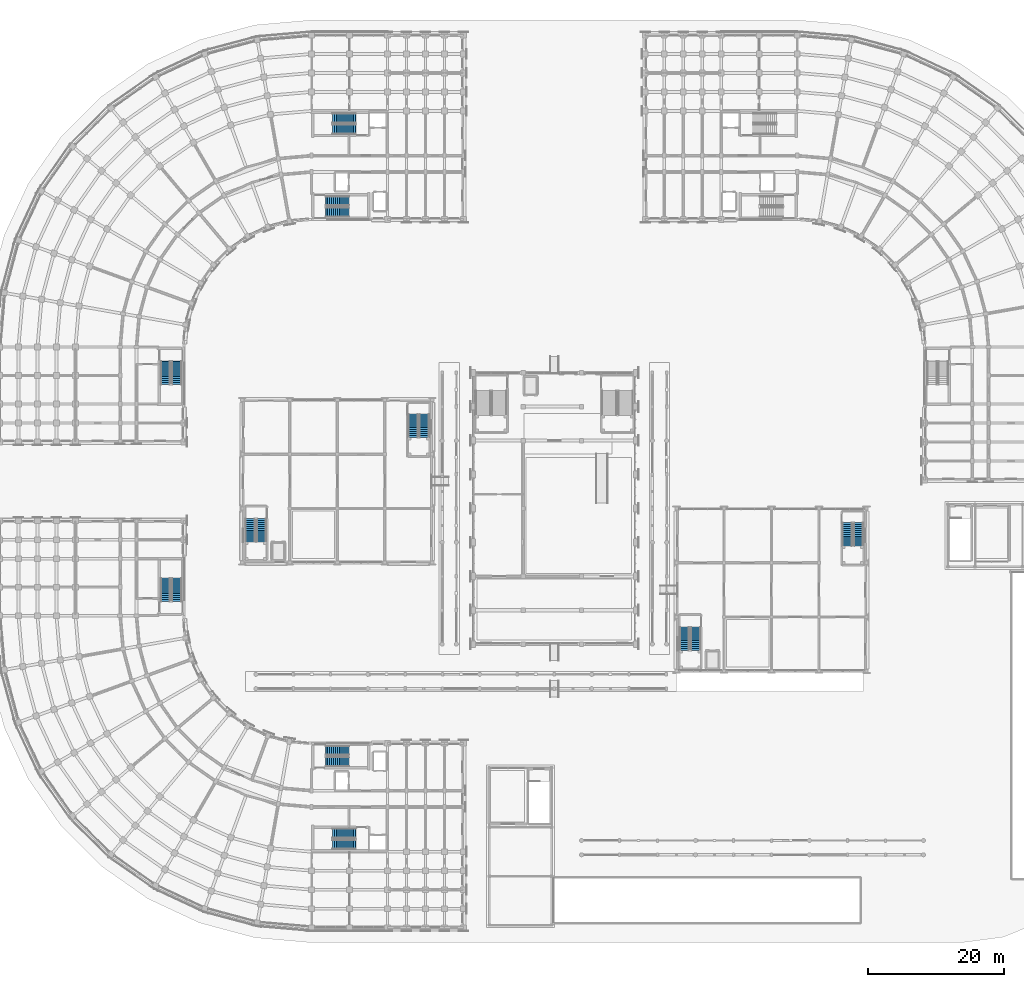
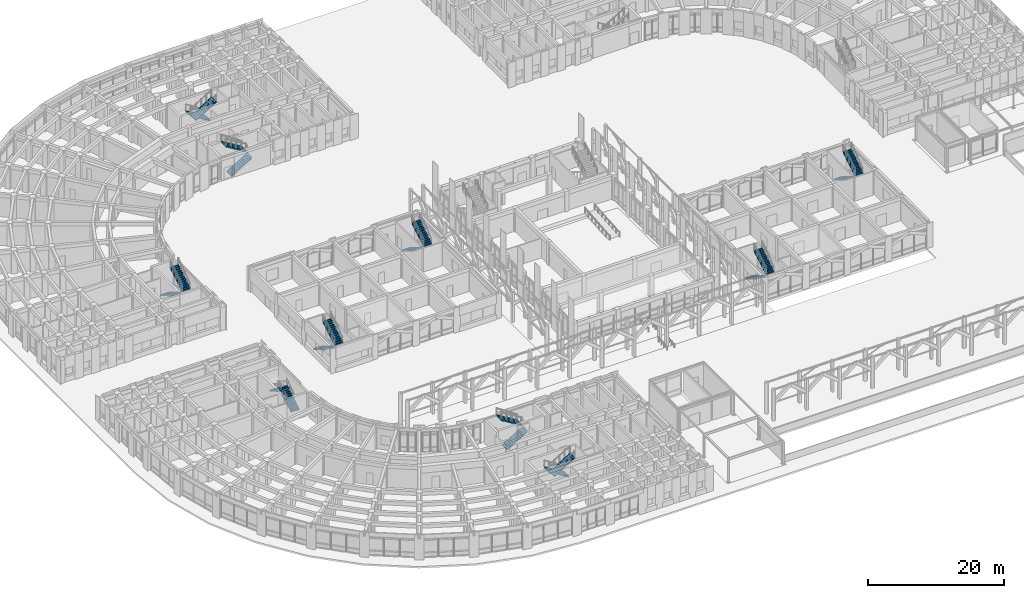
# One storey, part 112 of 135: 20 stair flights, 10 elements without a shape of their own.
"""IFC4 building model written with IfcOpenShell, lengths in metres."""

from ifc_helpers import new_model, si_unit, direction, frame, origin, place, context, subcontext, project, spatial, polyline, outline, extrude, material, type_object, element, aggregate, save


model = new_model("IFC4")

# Units and contexts
model_context = context("Model", 3, precision=1e-05, world=origin(), true_north=direction((0.0, 1.0)))
body_context = subcontext(model_context, "Body", "Model", "MODEL_VIEW")
ifc_project = project(units=[si_unit("LENGTHUNIT", "METRE"), si_unit("AREAUNIT", "SQUARE_METRE"), si_unit("VOLUMEUNIT", "CUBIC_METRE"), si_unit("PLANEANGLEUNIT", "RADIAN"), si_unit("MASSUNIT", "GRAM", prefix="KILO")], contexts=[model_context])

# Site, building, storey
site_placement = place(None, origin())
site = spatial("IfcSite", under=ifc_project, at=site_placement, CompositionType="ELEMENT")
building_placement = place(site_placement, origin())
building = spatial("IfcBuilding", under=site, at=building_placement, Name="Kiranvali Square Residences", CompositionType="ELEMENT")
storey_placement = place(building_placement, origin())
storey = spatial("IfcBuildingStorey", under=building, at=storey_placement, Name="L00", CompositionType="ELEMENT", Elevation=0.0)

# Stair, stair flights
ifc_material = material(Name="Concrete M35 (35 MPa)", Category="concrete")
stair_type = type_object("IfcStairType", Name="ST-CORE-1700", PredefinedType="HALF_TURN_STAIR", material=ifc_material)
stair_1_placement = place(storey_placement, origin())
stair_1 = element("IfcStair", 1, at=stair_1_placement, inside=storey, type_object=stair_type, Name="L00 Block A Firefighting Exit Stair 1", PredefinedType="HALF_TURN_STAIR")
stair_flight_type = type_object("IfcStairFlightType", Name="STF-1700", PredefinedType="STRAIGHT", material=ifc_material)
stair_flight_1_placement = place(storey_placement, frame((54.699951171875, 121.52490234375, 0.0), z_axis=(0.0, 0.0, 1.0), x_axis=(-1.0, 0.0, 0.0)))
stair_flight_1 = element("IfcStairFlight", 2, at=stair_flight_1_placement, type_object=stair_flight_type, Name="ST-A1 flight 1", NumberOfRisers=13, NumberOfTreads=12, PredefinedType="STRAIGHT", RiserHeight=0.173076923, TreadLength=0.285, context=body_context, shape_type="SweptSolid", body=[
    extrude(outline(polyline([(-0.02001953125, -0.14990234375), (-0.02001953125, 0.0), (0.0, 0.0), (0.0, 0.173095703125), (0.284912109375, 0.173095703125), (0.284912109375, 0.34619140625), (0.570068359375, 0.34619140625), (0.570068359375, 0.519287109375), (0.85498046875, 0.519287109375), (0.85498046875, 0.6923828125), (1.139892578125, 0.6923828125), (1.139892578125, 0.865478515625), (1.425048828125, 0.865478515625), (1.425048828125, 1.03857421875), (1.7099609375, 1.03857421875), (1.7099609375, 1.21142578125), (1.9951171875, 1.21142578125), (1.9951171875, 1.384521484375), (2.280029296875, 1.384521484375), (2.280029296875, 1.5576171875), (2.56494140625, 1.5576171875), (2.56494140625, 1.730712890625), (2.85009765625, 1.730712890625), (2.85009765625, 1.90380859375), (3.135009765625, 1.90380859375), (3.135009765625, 2.076904296875), (3.419921875, 2.076904296875), (3.419921875, 2.25), (3.43994140625, 2.25), (3.43994140625, 1.901611328125), (3.419921875, 1.901611328125), (0.0, -0.14990234375), (-0.02001953125, -0.14990234375)])), frame((0.0, 0.72509765625, 0.0), z_axis=(0.0, -1.0, 0.0), x_axis=(1.0, 0.0, 0.0)), (0.0, 0.0, 1.0), 1.449951171875),
])
stair_flight_2_placement = place(storey_placement, frame((51.280029296875, 119.875, 2.25), z_axis=(0.0, 0.0, 1.0), x_axis=(1.0, 0.0, 0.0)))
stair_flight_2 = element("IfcStairFlight", 3, at=stair_flight_2_placement, type_object=stair_flight_type, Name="ST-A1 flight 2", NumberOfRisers=13, NumberOfTreads=12, PredefinedType="STRAIGHT", RiserHeight=0.173076923, TreadLength=0.285, context=body_context, shape_type="SweptSolid", body=[
    extrude(outline(polyline([(-0.02001953125, -0.14990234375), (-0.02001953125, 0.0), (0.0, 0.0), (0.0, 0.173095703125), (0.284912109375, 0.173095703125), (0.284912109375, 0.34619140625), (0.570068359375, 0.34619140625), (0.570068359375, 0.519287109375), (0.85498046875, 0.519287109375), (0.85498046875, 0.6923828125), (1.139892578125, 0.6923828125), (1.139892578125, 0.865478515625), (1.425048828125, 0.865478515625), (1.425048828125, 1.03857421875), (1.7099609375, 1.03857421875), (1.7099609375, 1.21142578125), (1.9951171875, 1.21142578125), (1.9951171875, 1.384521484375), (2.280029296875, 1.384521484375), (2.280029296875, 1.5576171875), (2.56494140625, 1.5576171875), (2.56494140625, 1.730712890625), (2.85009765625, 1.730712890625), (2.85009765625, 1.90380859375), (3.135009765625, 1.90380859375), (3.135009765625, 2.076904296875), (3.419921875, 2.076904296875), (3.419921875, 2.25), (3.43994140625, 2.25), (3.43994140625, 1.901611328125), (3.419921875, 1.901611328125), (0.0, -0.14990234375), (-0.02001953125, -0.14990234375)])), frame((0.0, 0.72509765625, 0.0), z_axis=(0.0, -1.0, 0.0), x_axis=(1.0, 0.0, 0.0)), (0.0, 0.0, 1.0), 1.449951171875),
])
aggregate(stair_1, [stair_flight_1, stair_flight_2])

stair_2_placement = place(storey_placement, origin())
stair_2 = element("IfcStair", 4, at=stair_2_placement, inside=storey, type_object=stair_type, Name="L00 Block A Protected Exit Stair 2", PredefinedType="HALF_TURN_STAIR")
stair_flight_3_placement = place(storey_placement, frame((50.300048828125, 107.675048828125, 0.0), z_axis=(0.0, 0.0, 1.0), x_axis=(1.0, 0.0, 0.0)))
stair_flight_3 = element("IfcStairFlight", 5, at=stair_flight_3_placement, type_object=stair_flight_type, Name="ST-A2 flight 1", NumberOfRisers=13, NumberOfTreads=12, PredefinedType="STRAIGHT", RiserHeight=0.173076923, TreadLength=0.285, context=body_context, shape_type="SweptSolid", body=[
    extrude(outline(polyline([(-0.02001953125, -0.14990234375), (-0.02001953125, 0.0), (0.0, 0.0), (0.0, 0.173095703125), (0.284912109375, 0.173095703125), (0.284912109375, 0.34619140625), (0.570068359375, 0.34619140625), (0.570068359375, 0.519287109375), (0.85498046875, 0.519287109375), (0.85498046875, 0.6923828125), (1.139892578125, 0.6923828125), (1.139892578125, 0.865478515625), (1.425048828125, 0.865478515625), (1.425048828125, 1.03857421875), (1.7099609375, 1.03857421875), (1.7099609375, 1.21142578125), (1.9951171875, 1.21142578125), (1.9951171875, 1.384521484375), (2.280029296875, 1.384521484375), (2.280029296875, 1.5576171875), (2.56494140625, 1.5576171875), (2.56494140625, 1.730712890625), (2.85009765625, 1.730712890625), (2.85009765625, 1.90380859375), (3.135009765625, 1.90380859375), (3.135009765625, 2.076904296875), (3.419921875, 2.076904296875), (3.419921875, 2.25), (3.43994140625, 2.25), (3.43994140625, 1.901611328125), (3.419921875, 1.901611328125), (0.0, -0.14990234375), (-0.02001953125, -0.14990234375)])), frame((0.0, 0.72509765625, 0.0), z_axis=(0.0, -1.0, 0.0), x_axis=(1.0, 0.0, 0.0)), (0.0, 0.0, 1.0), 1.449951171875),
])
stair_flight_4_placement = place(storey_placement, frame((53.719970703125, 109.324951171875, 2.25), z_axis=(0.0, 0.0, 1.0), x_axis=(-1.0, 0.0, 0.0)))
stair_flight_4 = element("IfcStairFlight", 6, at=stair_flight_4_placement, type_object=stair_flight_type, Name="ST-A2 flight 2", NumberOfRisers=13, NumberOfTreads=12, PredefinedType="STRAIGHT", RiserHeight=0.173076923, TreadLength=0.285, context=body_context, shape_type="SweptSolid", body=[
    extrude(outline(polyline([(-0.02001953125, -0.14990234375), (-0.02001953125, 0.0), (0.0, 0.0), (0.0, 0.173095703125), (0.284912109375, 0.173095703125), (0.284912109375, 0.34619140625), (0.570068359375, 0.34619140625), (0.570068359375, 0.519287109375), (0.85498046875, 0.519287109375), (0.85498046875, 0.6923828125), (1.139892578125, 0.6923828125), (1.139892578125, 0.865478515625), (1.425048828125, 0.865478515625), (1.425048828125, 1.03857421875), (1.7099609375, 1.03857421875), (1.7099609375, 1.21142578125), (1.9951171875, 1.21142578125), (1.9951171875, 1.384521484375), (2.280029296875, 1.384521484375), (2.280029296875, 1.5576171875), (2.56494140625, 1.5576171875), (2.56494140625, 1.730712890625), (2.85009765625, 1.730712890625), (2.85009765625, 1.90380859375), (3.135009765625, 1.90380859375), (3.135009765625, 2.076904296875), (3.419921875, 2.076904296875), (3.419921875, 2.25), (3.43994140625, 2.25), (3.43994140625, 1.901611328125), (3.419921875, 1.901611328125), (0.0, -0.14990234375), (-0.02001953125, -0.14990234375)])), frame((0.0, 0.72509765625, 0.0), z_axis=(0.0, -1.0, 0.0), x_axis=(1.0, 0.0, 0.0)), (0.0, 0.0, 1.0), 1.449951171875),
])
aggregate(stair_2, [stair_flight_3, stair_flight_4])

stair_3_placement = place(storey_placement, origin())
stair_3 = element("IfcStair", 7, at=stair_3_placement, inside=storey, type_object=stair_type, Name="L00 Block A Wing Protected Exit Stair 3", PredefinedType="HALF_TURN_STAIR")
stair_flight_5_placement = place(storey_placement, frame((26.675048828125, 85.699951171875, 0.0), z_axis=(0.0, 0.0, 1.0), x_axis=(0.0, -1.0, 0.0)))
stair_flight_5 = element("IfcStairFlight", 8, at=stair_flight_5_placement, type_object=stair_flight_type, Name="ST-A3 flight 1", NumberOfRisers=13, NumberOfTreads=12, PredefinedType="STRAIGHT", RiserHeight=0.173076923, TreadLength=0.285, context=body_context, shape_type="SweptSolid", body=[
    extrude(outline(polyline([(-0.02001953125, -0.14990234375), (-0.02001953125, 0.0), (0.0, 0.0), (0.0, 0.173095703125), (0.284912109375, 0.173095703125), (0.284912109375, 0.34619140625), (0.570068359375, 0.34619140625), (0.570068359375, 0.519287109375), (0.85498046875, 0.519287109375), (0.85498046875, 0.6923828125), (1.139892578125, 0.6923828125), (1.139892578125, 0.865478515625), (1.425048828125, 0.865478515625), (1.425048828125, 1.03857421875), (1.7099609375, 1.03857421875), (1.7099609375, 1.21142578125), (1.9951171875, 1.21142578125), (1.9951171875, 1.384521484375), (2.280029296875, 1.384521484375), (2.280029296875, 1.5576171875), (2.56494140625, 1.5576171875), (2.56494140625, 1.730712890625), (2.85009765625, 1.730712890625), (2.85009765625, 1.90380859375), (3.135009765625, 1.90380859375), (3.135009765625, 2.076904296875), (3.419921875, 2.076904296875), (3.419921875, 2.25), (3.43994140625, 2.25), (3.43994140625, 1.901611328125), (3.419921875, 1.901611328125), (0.0, -0.14990234375), (-0.02001953125, -0.14990234375)])), frame((0.0, 0.72509765625, 0.0), z_axis=(0.0, -1.0, 0.0), x_axis=(1.0, 0.0, 0.0)), (0.0, 0.0, 1.0), 1.449951171875),
])
stair_flight_6_placement = place(storey_placement, frame((28.324951171875, 82.280029296875, 2.25), z_axis=(0.0, 0.0, 1.0), x_axis=(0.0, 1.0, 0.0)))
stair_flight_6 = element("IfcStairFlight", 9, at=stair_flight_6_placement, type_object=stair_flight_type, Name="ST-A3 flight 2", NumberOfRisers=13, NumberOfTreads=12, PredefinedType="STRAIGHT", RiserHeight=0.173076923, TreadLength=0.285, context=body_context, shape_type="SweptSolid", body=[
    extrude(outline(polyline([(-0.02001953125, -0.14990234375), (-0.02001953125, 0.0), (0.0, 0.0), (0.0, 0.173095703125), (0.284912109375, 0.173095703125), (0.284912109375, 0.34619140625), (0.570068359375, 0.34619140625), (0.570068359375, 0.519287109375), (0.85498046875, 0.519287109375), (0.85498046875, 0.6923828125), (1.139892578125, 0.6923828125), (1.139892578125, 0.865478515625), (1.425048828125, 0.865478515625), (1.425048828125, 1.03857421875), (1.7099609375, 1.03857421875), (1.7099609375, 1.21142578125), (1.9951171875, 1.21142578125), (1.9951171875, 1.384521484375), (2.280029296875, 1.384521484375), (2.280029296875, 1.5576171875), (2.56494140625, 1.5576171875), (2.56494140625, 1.730712890625), (2.85009765625, 1.730712890625), (2.85009765625, 1.90380859375), (3.135009765625, 1.90380859375), (3.135009765625, 2.076904296875), (3.419921875, 2.076904296875), (3.419921875, 2.25), (3.43994140625, 2.25), (3.43994140625, 1.901611328125), (3.419921875, 1.901611328125), (0.0, -0.14990234375), (-0.02001953125, -0.14990234375)])), frame((0.0, 0.72509765625, 0.0), z_axis=(0.0, -1.0, 0.0), x_axis=(1.0, 0.0, 0.0)), (0.0, 0.0, 1.0), 1.449951171875),
])
aggregate(stair_3, [stair_flight_5, stair_flight_6])

stair_4_placement = place(storey_placement, origin())
stair_4 = element("IfcStair", 10, at=stair_4_placement, inside=storey, type_object=stair_type, Name="L00 Block C Firefighting Exit Stair 1", PredefinedType="HALF_TURN_STAIR")
stair_flight_7_placement = place(storey_placement, frame((54.699951171875, 16.125, 0.0), z_axis=(0.0, 0.0, 1.0), x_axis=(-1.0, 0.0, 0.0)))
stair_flight_7 = element("IfcStairFlight", 11, at=stair_flight_7_placement, type_object=stair_flight_type, Name="ST-C1 flight 1", NumberOfRisers=13, NumberOfTreads=12, PredefinedType="STRAIGHT", RiserHeight=0.173076923, TreadLength=0.285, context=body_context, shape_type="SweptSolid", body=[
    extrude(outline(polyline([(-0.02001953125, -0.14990234375), (-0.02001953125, 0.0), (0.0, 0.0), (0.0, 0.173095703125), (0.284912109375, 0.173095703125), (0.284912109375, 0.34619140625), (0.570068359375, 0.34619140625), (0.570068359375, 0.519287109375), (0.85498046875, 0.519287109375), (0.85498046875, 0.6923828125), (1.139892578125, 0.6923828125), (1.139892578125, 0.865478515625), (1.425048828125, 0.865478515625), (1.425048828125, 1.03857421875), (1.7099609375, 1.03857421875), (1.7099609375, 1.21142578125), (1.9951171875, 1.21142578125), (1.9951171875, 1.384521484375), (2.280029296875, 1.384521484375), (2.280029296875, 1.5576171875), (2.56494140625, 1.5576171875), (2.56494140625, 1.730712890625), (2.85009765625, 1.730712890625), (2.85009765625, 1.90380859375), (3.135009765625, 1.90380859375), (3.135009765625, 2.076904296875), (3.419921875, 2.076904296875), (3.419921875, 2.25), (3.43994140625, 2.25), (3.43994140625, 1.901611328125), (3.419921875, 1.901611328125), (0.0, -0.14990234375), (-0.02001953125, -0.14990234375)])), frame((0.0, 0.72509765625, 0.0), z_axis=(0.0, -1.0, 0.0), x_axis=(1.0, 0.0, 0.0)), (0.0, 0.0, 1.0), 1.449951171875),
])
stair_flight_8_placement = place(storey_placement, frame((51.280029296875, 14.47509765625, 2.25), z_axis=(0.0, 0.0, 1.0), x_axis=(1.0, 0.0, 0.0)))
stair_flight_8 = element("IfcStairFlight", 12, at=stair_flight_8_placement, type_object=stair_flight_type, Name="ST-C1 flight 2", NumberOfRisers=13, NumberOfTreads=12, PredefinedType="STRAIGHT", RiserHeight=0.173076923, TreadLength=0.285, context=body_context, shape_type="SweptSolid", body=[
    extrude(outline(polyline([(-0.02001953125, -0.14990234375), (-0.02001953125, 0.0), (0.0, 0.0), (0.0, 0.173095703125), (0.284912109375, 0.173095703125), (0.284912109375, 0.34619140625), (0.570068359375, 0.34619140625), (0.570068359375, 0.519287109375), (0.85498046875, 0.519287109375), (0.85498046875, 0.6923828125), (1.139892578125, 0.6923828125), (1.139892578125, 0.865478515625), (1.425048828125, 0.865478515625), (1.425048828125, 1.03857421875), (1.7099609375, 1.03857421875), (1.7099609375, 1.21142578125), (1.9951171875, 1.21142578125), (1.9951171875, 1.384521484375), (2.280029296875, 1.384521484375), (2.280029296875, 1.5576171875), (2.56494140625, 1.5576171875), (2.56494140625, 1.730712890625), (2.85009765625, 1.730712890625), (2.85009765625, 1.90380859375), (3.135009765625, 1.90380859375), (3.135009765625, 2.076904296875), (3.419921875, 2.076904296875), (3.419921875, 2.25), (3.43994140625, 2.25), (3.43994140625, 1.901611328125), (3.419921875, 1.901611328125), (0.0, -0.14990234375), (-0.02001953125, -0.14990234375)])), frame((0.0, 0.72509765625, 0.0), z_axis=(0.0, -1.0, 0.0), x_axis=(1.0, 0.0, 0.0)), (0.0, 0.0, 1.0), 1.449951171875),
])
aggregate(stair_4, [stair_flight_7, stair_flight_8])

stair_5_placement = place(storey_placement, origin())
stair_5 = element("IfcStair", 13, at=stair_5_placement, inside=storey, type_object=stair_type, Name="L00 Block C Protected Exit Stair 2", PredefinedType="HALF_TURN_STAIR")
stair_flight_9_placement = place(storey_placement, frame((50.300048828125, 26.675048828125, 0.0), z_axis=(0.0, 0.0, 1.0), x_axis=(1.0, 0.0, 0.0)))
stair_flight_9 = element("IfcStairFlight", 14, at=stair_flight_9_placement, type_object=stair_flight_type, Name="ST-C2 flight 1", NumberOfRisers=13, NumberOfTreads=12, PredefinedType="STRAIGHT", RiserHeight=0.173076923, TreadLength=0.285, context=body_context, shape_type="SweptSolid", body=[
    extrude(outline(polyline([(-0.02001953125, -0.14990234375), (-0.02001953125, 0.0), (0.0, 0.0), (0.0, 0.173095703125), (0.284912109375, 0.173095703125), (0.284912109375, 0.34619140625), (0.570068359375, 0.34619140625), (0.570068359375, 0.519287109375), (0.85498046875, 0.519287109375), (0.85498046875, 0.6923828125), (1.139892578125, 0.6923828125), (1.139892578125, 0.865478515625), (1.425048828125, 0.865478515625), (1.425048828125, 1.03857421875), (1.7099609375, 1.03857421875), (1.7099609375, 1.21142578125), (1.9951171875, 1.21142578125), (1.9951171875, 1.384521484375), (2.280029296875, 1.384521484375), (2.280029296875, 1.5576171875), (2.56494140625, 1.5576171875), (2.56494140625, 1.730712890625), (2.85009765625, 1.730712890625), (2.85009765625, 1.90380859375), (3.135009765625, 1.90380859375), (3.135009765625, 2.076904296875), (3.419921875, 2.076904296875), (3.419921875, 2.25), (3.43994140625, 2.25), (3.43994140625, 1.901611328125), (3.419921875, 1.901611328125), (0.0, -0.14990234375), (-0.02001953125, -0.14990234375)])), frame((0.0, 0.72509765625, 0.0), z_axis=(0.0, -1.0, 0.0), x_axis=(1.0, 0.0, 0.0)), (0.0, 0.0, 1.0), 1.449951171875),
])
stair_flight_10_placement = place(storey_placement, frame((53.719970703125, 28.324951171875, 2.25), z_axis=(0.0, 0.0, 1.0), x_axis=(-1.0, 0.0, 0.0)))
stair_flight_10 = element("IfcStairFlight", 15, at=stair_flight_10_placement, type_object=stair_flight_type, Name="ST-C2 flight 2", NumberOfRisers=13, NumberOfTreads=12, PredefinedType="STRAIGHT", RiserHeight=0.173076923, TreadLength=0.285, context=body_context, shape_type="SweptSolid", body=[
    extrude(outline(polyline([(-0.02001953125, -0.14990234375), (-0.02001953125, 0.0), (0.0, 0.0), (0.0, 0.173095703125), (0.284912109375, 0.173095703125), (0.284912109375, 0.34619140625), (0.570068359375, 0.34619140625), (0.570068359375, 0.519287109375), (0.85498046875, 0.519287109375), (0.85498046875, 0.6923828125), (1.139892578125, 0.6923828125), (1.139892578125, 0.865478515625), (1.425048828125, 0.865478515625), (1.425048828125, 1.03857421875), (1.7099609375, 1.03857421875), (1.7099609375, 1.21142578125), (1.9951171875, 1.21142578125), (1.9951171875, 1.384521484375), (2.280029296875, 1.384521484375), (2.280029296875, 1.5576171875), (2.56494140625, 1.5576171875), (2.56494140625, 1.730712890625), (2.85009765625, 1.730712890625), (2.85009765625, 1.90380859375), (3.135009765625, 1.90380859375), (3.135009765625, 2.076904296875), (3.419921875, 2.076904296875), (3.419921875, 2.25), (3.43994140625, 2.25), (3.43994140625, 1.901611328125), (3.419921875, 1.901611328125), (0.0, -0.14990234375), (-0.02001953125, -0.14990234375)])), frame((0.0, 0.72509765625, 0.0), z_axis=(0.0, -1.0, 0.0), x_axis=(1.0, 0.0, 0.0)), (0.0, 0.0, 1.0), 1.449951171875),
])
aggregate(stair_5, [stair_flight_9, stair_flight_10])

stair_6_placement = place(storey_placement, origin())
stair_6 = element("IfcStair", 16, at=stair_6_placement, inside=storey, type_object=stair_type, Name="L00 Block C Wing Protected Exit Stair 3", PredefinedType="HALF_TURN_STAIR")
stair_flight_11_placement = place(storey_placement, frame((28.324951171875, 50.300048828125, 0.0), z_axis=(0.0, 0.0, 1.0), x_axis=(0.0, 1.0, 0.0)))
stair_flight_11 = element("IfcStairFlight", 17, at=stair_flight_11_placement, type_object=stair_flight_type, Name="ST-C3 flight 1", NumberOfRisers=13, NumberOfTreads=12, PredefinedType="STRAIGHT", RiserHeight=0.173076923, TreadLength=0.285, context=body_context, shape_type="SweptSolid", body=[
    extrude(outline(polyline([(-0.02001953125, -0.14990234375), (-0.02001953125, 0.0), (0.0, 0.0), (0.0, 0.173095703125), (0.284912109375, 0.173095703125), (0.284912109375, 0.34619140625), (0.570068359375, 0.34619140625), (0.570068359375, 0.519287109375), (0.85498046875, 0.519287109375), (0.85498046875, 0.6923828125), (1.139892578125, 0.6923828125), (1.139892578125, 0.865478515625), (1.425048828125, 0.865478515625), (1.425048828125, 1.03857421875), (1.7099609375, 1.03857421875), (1.7099609375, 1.21142578125), (1.9951171875, 1.21142578125), (1.9951171875, 1.384521484375), (2.280029296875, 1.384521484375), (2.280029296875, 1.5576171875), (2.56494140625, 1.5576171875), (2.56494140625, 1.730712890625), (2.85009765625, 1.730712890625), (2.85009765625, 1.90380859375), (3.135009765625, 1.90380859375), (3.135009765625, 2.076904296875), (3.419921875, 2.076904296875), (3.419921875, 2.25), (3.43994140625, 2.25), (3.43994140625, 1.901611328125), (3.419921875, 1.901611328125), (0.0, -0.14990234375), (-0.02001953125, -0.14990234375)])), frame((0.0, 0.72509765625, 0.0), z_axis=(0.0, -1.0, 0.0), x_axis=(1.0, 0.0, 0.0)), (0.0, 0.0, 1.0), 1.449951171875),
])
stair_flight_12_placement = place(storey_placement, frame((26.675048828125, 53.719970703125, 2.25), z_axis=(0.0, 0.0, 1.0), x_axis=(0.0, -1.0, 0.0)))
stair_flight_12 = element("IfcStairFlight", 18, at=stair_flight_12_placement, type_object=stair_flight_type, Name="ST-C3 flight 2", NumberOfRisers=13, NumberOfTreads=12, PredefinedType="STRAIGHT", RiserHeight=0.173076923, TreadLength=0.285, context=body_context, shape_type="SweptSolid", body=[
    extrude(outline(polyline([(-0.02001953125, -0.14990234375), (-0.02001953125, 0.0), (0.0, 0.0), (0.0, 0.173095703125), (0.284912109375, 0.173095703125), (0.284912109375, 0.34619140625), (0.570068359375, 0.34619140625), (0.570068359375, 0.519287109375), (0.85498046875, 0.519287109375), (0.85498046875, 0.6923828125), (1.139892578125, 0.6923828125), (1.139892578125, 0.865478515625), (1.425048828125, 0.865478515625), (1.425048828125, 1.03857421875), (1.7099609375, 1.03857421875), (1.7099609375, 1.21142578125), (1.9951171875, 1.21142578125), (1.9951171875, 1.384521484375), (2.280029296875, 1.384521484375), (2.280029296875, 1.5576171875), (2.56494140625, 1.5576171875), (2.56494140625, 1.730712890625), (2.85009765625, 1.730712890625), (2.85009765625, 1.90380859375), (3.135009765625, 1.90380859375), (3.135009765625, 2.076904296875), (3.419921875, 2.076904296875), (3.419921875, 2.25), (3.43994140625, 2.25), (3.43994140625, 1.901611328125), (3.419921875, 1.901611328125), (0.0, -0.14990234375), (-0.02001953125, -0.14990234375)])), frame((0.0, 0.72509765625, 0.0), z_axis=(0.0, -1.0, 0.0), x_axis=(1.0, 0.0, 0.0)), (0.0, 0.0, 1.0), 1.449951171875),
])
aggregate(stair_6, [stair_flight_11, stair_flight_12])

stair_7_placement = place(storey_placement, origin())
stair_7 = element("IfcStair", 19, at=stair_7_placement, inside=storey, type_object=stair_type, Name="L00 Nursery Pavilion Exit Stair 1", PredefinedType="HALF_TURN_STAIR")
stair_flight_13_placement = place(storey_placement, frame((39.175048828125, 62.5, 0.0), z_axis=(0.0, 0.0, 1.0), x_axis=(0.0, -1.0, 0.0)))
stair_flight_13 = element("IfcStairFlight", 20, at=stair_flight_13_placement, type_object=stair_flight_type, Name="ST-NR1 flight 1", NumberOfRisers=13, NumberOfTreads=12, PredefinedType="STRAIGHT", RiserHeight=0.173076923, TreadLength=0.285, context=body_context, shape_type="SweptSolid", body=[
    extrude(outline(polyline([(-0.02001953125, -0.14990234375), (-0.02001953125, 0.0), (0.0, 0.0), (0.0, 0.173095703125), (0.284912109375, 0.173095703125), (0.284912109375, 0.34619140625), (0.570068359375, 0.34619140625), (0.570068359375, 0.519287109375), (0.85498046875, 0.519287109375), (0.85498046875, 0.6923828125), (1.139892578125, 0.6923828125), (1.139892578125, 0.865478515625), (1.425048828125, 0.865478515625), (1.425048828125, 1.03857421875), (1.7099609375, 1.03857421875), (1.7099609375, 1.21142578125), (1.9951171875, 1.21142578125), (1.9951171875, 1.384521484375), (2.280029296875, 1.384521484375), (2.280029296875, 1.5576171875), (2.56494140625, 1.5576171875), (2.56494140625, 1.730712890625), (2.85009765625, 1.730712890625), (2.85009765625, 1.90380859375), (3.135009765625, 1.90380859375), (3.135009765625, 2.076904296875), (3.419921875, 2.076904296875), (3.419921875, 2.25), (3.43994140625, 2.25), (3.43994140625, 1.901611328125), (3.419921875, 1.901611328125), (0.0, -0.14990234375), (-0.02001953125, -0.14990234375)])), frame((0.0, 0.72509765625, 0.0), z_axis=(0.0, -1.0, 0.0), x_axis=(1.0, 0.0, 0.0)), (0.0, 0.0, 1.0), 1.449951171875),
])
stair_flight_14_placement = place(storey_placement, frame((40.824951171875, 59.080078125, 2.25), z_axis=(0.0, 0.0, 1.0), x_axis=(0.0, 1.0, 0.0)))
stair_flight_14 = element("IfcStairFlight", 21, at=stair_flight_14_placement, type_object=stair_flight_type, Name="ST-NR1 flight 2", NumberOfRisers=13, NumberOfTreads=12, PredefinedType="STRAIGHT", RiserHeight=0.173076923, TreadLength=0.285, context=body_context, shape_type="SweptSolid", body=[
    extrude(outline(polyline([(-0.02001953125, -0.14990234375), (-0.02001953125, 0.0), (0.0, 0.0), (0.0, 0.173095703125), (0.284912109375, 0.173095703125), (0.284912109375, 0.34619140625), (0.570068359375, 0.34619140625), (0.570068359375, 0.519287109375), (0.85498046875, 0.519287109375), (0.85498046875, 0.6923828125), (1.139892578125, 0.6923828125), (1.139892578125, 0.865478515625), (1.425048828125, 0.865478515625), (1.425048828125, 1.03857421875), (1.7099609375, 1.03857421875), (1.7099609375, 1.21142578125), (1.9951171875, 1.21142578125), (1.9951171875, 1.384521484375), (2.280029296875, 1.384521484375), (2.280029296875, 1.5576171875), (2.56494140625, 1.5576171875), (2.56494140625, 1.730712890625), (2.85009765625, 1.730712890625), (2.85009765625, 1.90380859375), (3.135009765625, 1.90380859375), (3.135009765625, 2.076904296875), (3.419921875, 2.076904296875), (3.419921875, 2.25), (3.43994140625, 2.25), (3.43994140625, 1.901611328125), (3.419921875, 1.901611328125), (0.0, -0.14990234375), (-0.02001953125, -0.14990234375)])), frame((0.0, 0.72509765625, 0.0), z_axis=(0.0, -1.0, 0.0), x_axis=(1.0, 0.0, 0.0)), (0.0, 0.0, 1.0), 1.449951171875),
])
aggregate(stair_7, [stair_flight_13, stair_flight_14])

stair_8_placement = place(storey_placement, origin())
stair_8 = element("IfcStair", 22, at=stair_8_placement, inside=storey, type_object=stair_type, Name="L00 Nursery Pavilion Exit Stair 2", PredefinedType="HALF_TURN_STAIR")
stair_flight_15_placement = place(storey_placement, frame((63.175048828125, 77.89990234375, 0.0), z_axis=(0.0, 0.0, 1.0), x_axis=(0.0, -1.0, 0.0)))
stair_flight_15 = element("IfcStairFlight", 23, at=stair_flight_15_placement, type_object=stair_flight_type, Name="ST-NR2 flight 1", NumberOfRisers=13, NumberOfTreads=12, PredefinedType="STRAIGHT", RiserHeight=0.173076923, TreadLength=0.285, context=body_context, shape_type="SweptSolid", body=[
    extrude(outline(polyline([(-0.02001953125, -0.14990234375), (-0.02001953125, 0.0), (0.0, 0.0), (0.0, 0.173095703125), (0.284912109375, 0.173095703125), (0.284912109375, 0.34619140625), (0.570068359375, 0.34619140625), (0.570068359375, 0.519287109375), (0.85498046875, 0.519287109375), (0.85498046875, 0.6923828125), (1.139892578125, 0.6923828125), (1.139892578125, 0.865478515625), (1.425048828125, 0.865478515625), (1.425048828125, 1.03857421875), (1.7099609375, 1.03857421875), (1.7099609375, 1.21142578125), (1.9951171875, 1.21142578125), (1.9951171875, 1.384521484375), (2.280029296875, 1.384521484375), (2.280029296875, 1.5576171875), (2.56494140625, 1.5576171875), (2.56494140625, 1.730712890625), (2.85009765625, 1.730712890625), (2.85009765625, 1.90380859375), (3.135009765625, 1.90380859375), (3.135009765625, 2.076904296875), (3.419921875, 2.076904296875), (3.419921875, 2.25), (3.43994140625, 2.25), (3.43994140625, 1.901611328125), (3.419921875, 1.901611328125), (0.0, -0.14990234375), (-0.02001953125, -0.14990234375)])), frame((0.0, 0.72509765625, 0.0), z_axis=(0.0, -1.0, 0.0), x_axis=(1.0, 0.0, 0.0)), (0.0, 0.0, 1.0), 1.449951171875),
])
stair_flight_16_placement = place(storey_placement, frame((64.824951171875, 74.47998046875, 2.25), z_axis=(0.0, 0.0, 1.0), x_axis=(0.0, 1.0, 0.0)))
stair_flight_16 = element("IfcStairFlight", 24, at=stair_flight_16_placement, type_object=stair_flight_type, Name="ST-NR2 flight 2", NumberOfRisers=13, NumberOfTreads=12, PredefinedType="STRAIGHT", RiserHeight=0.173076923, TreadLength=0.285, context=body_context, shape_type="SweptSolid", body=[
    extrude(outline(polyline([(-0.02001953125, -0.14990234375), (-0.02001953125, 0.0), (0.0, 0.0), (0.0, 0.173095703125), (0.284912109375, 0.173095703125), (0.284912109375, 0.34619140625), (0.570068359375, 0.34619140625), (0.570068359375, 0.519287109375), (0.85498046875, 0.519287109375), (0.85498046875, 0.6923828125), (1.139892578125, 0.6923828125), (1.139892578125, 0.865478515625), (1.425048828125, 0.865478515625), (1.425048828125, 1.03857421875), (1.7099609375, 1.03857421875), (1.7099609375, 1.21142578125), (1.9951171875, 1.21142578125), (1.9951171875, 1.384521484375), (2.280029296875, 1.384521484375), (2.280029296875, 1.5576171875), (2.56494140625, 1.5576171875), (2.56494140625, 1.730712890625), (2.85009765625, 1.730712890625), (2.85009765625, 1.90380859375), (3.135009765625, 1.90380859375), (3.135009765625, 2.076904296875), (3.419921875, 2.076904296875), (3.419921875, 2.25), (3.43994140625, 2.25), (3.43994140625, 1.901611328125), (3.419921875, 1.901611328125), (0.0, -0.14990234375), (-0.02001953125, -0.14990234375)])), frame((0.0, 0.72509765625, 0.0), z_axis=(0.0, -1.0, 0.0), x_axis=(1.0, 0.0, 0.0)), (0.0, 0.0, 1.0), 1.449951171875),
])
aggregate(stair_8, [stair_flight_15, stair_flight_16])

stair_9_placement = place(storey_placement, origin())
stair_9 = element("IfcStair", 25, at=stair_9_placement, inside=storey, type_object=stair_type, Name="L00 Retail Pavilion Exit Stair 1", PredefinedType="HALF_TURN_STAIR")
stair_flight_17_placement = place(storey_placement, frame((103.175048828125, 46.5, 0.0), z_axis=(0.0, 0.0, 1.0), x_axis=(0.0, -1.0, 0.0)))
stair_flight_17 = element("IfcStairFlight", 26, at=stair_flight_17_placement, type_object=stair_flight_type, Name="ST-RT1 flight 1", NumberOfRisers=13, NumberOfTreads=12, PredefinedType="STRAIGHT", RiserHeight=0.173076923, TreadLength=0.285, context=body_context, shape_type="SweptSolid", body=[
    extrude(outline(polyline([(-0.02001953125, -0.14990234375), (-0.02001953125, 0.0), (0.0, 0.0), (0.0, 0.173095703125), (0.284912109375, 0.173095703125), (0.284912109375, 0.34619140625), (0.570068359375, 0.34619140625), (0.570068359375, 0.519287109375), (0.85498046875, 0.519287109375), (0.85498046875, 0.6923828125), (1.139892578125, 0.6923828125), (1.139892578125, 0.865478515625), (1.425048828125, 0.865478515625), (1.425048828125, 1.03857421875), (1.7099609375, 1.03857421875), (1.7099609375, 1.21142578125), (1.9951171875, 1.21142578125), (1.9951171875, 1.384521484375), (2.280029296875, 1.384521484375), (2.280029296875, 1.5576171875), (2.56494140625, 1.5576171875), (2.56494140625, 1.730712890625), (2.85009765625, 1.730712890625), (2.85009765625, 1.90380859375), (3.135009765625, 1.90380859375), (3.135009765625, 2.076904296875), (3.419921875, 2.076904296875), (3.419921875, 2.25), (3.43994140625, 2.25), (3.43994140625, 1.901611328125), (3.419921875, 1.901611328125), (0.0, -0.14990234375), (-0.02001953125, -0.14990234375)])), frame((0.0, 0.72509765625, 0.0), z_axis=(0.0, -1.0, 0.0), x_axis=(1.0, 0.0, 0.0)), (0.0, 0.0, 1.0), 1.449951171875),
])
stair_flight_18_placement = place(storey_placement, frame((104.824951171875, 43.080078125, 2.25), z_axis=(0.0, 0.0, 1.0), x_axis=(0.0, 1.0, 0.0)))
stair_flight_18 = element("IfcStairFlight", 27, at=stair_flight_18_placement, type_object=stair_flight_type, Name="ST-RT1 flight 2", NumberOfRisers=13, NumberOfTreads=12, PredefinedType="STRAIGHT", RiserHeight=0.173076923, TreadLength=0.285, context=body_context, shape_type="SweptSolid", body=[
    extrude(outline(polyline([(-0.02001953125, -0.14990234375), (-0.02001953125, 0.0), (0.0, 0.0), (0.0, 0.173095703125), (0.284912109375, 0.173095703125), (0.284912109375, 0.34619140625), (0.570068359375, 0.34619140625), (0.570068359375, 0.519287109375), (0.85498046875, 0.519287109375), (0.85498046875, 0.6923828125), (1.139892578125, 0.6923828125), (1.139892578125, 0.865478515625), (1.425048828125, 0.865478515625), (1.425048828125, 1.03857421875), (1.7099609375, 1.03857421875), (1.7099609375, 1.21142578125), (1.9951171875, 1.21142578125), (1.9951171875, 1.384521484375), (2.280029296875, 1.384521484375), (2.280029296875, 1.5576171875), (2.56494140625, 1.5576171875), (2.56494140625, 1.730712890625), (2.85009765625, 1.730712890625), (2.85009765625, 1.90380859375), (3.135009765625, 1.90380859375), (3.135009765625, 2.076904296875), (3.419921875, 2.076904296875), (3.419921875, 2.25), (3.43994140625, 2.25), (3.43994140625, 1.901611328125), (3.419921875, 1.901611328125), (0.0, -0.14990234375), (-0.02001953125, -0.14990234375)])), frame((0.0, 0.72509765625, 0.0), z_axis=(0.0, -1.0, 0.0), x_axis=(1.0, 0.0, 0.0)), (0.0, 0.0, 1.0), 1.449951171875),
])
aggregate(stair_9, [stair_flight_17, stair_flight_18])

stair_10_placement = place(storey_placement, origin())
stair_10 = element("IfcStair", 28, at=stair_10_placement, inside=storey, type_object=stair_type, Name="L00 Retail Pavilion Exit Stair 2", PredefinedType="HALF_TURN_STAIR")
stair_flight_19_placement = place(storey_placement, frame((127.175048828125, 61.89990234375, 0.0), z_axis=(0.0, 0.0, 1.0), x_axis=(0.0, -1.0, 0.0)))
stair_flight_19 = element("IfcStairFlight", 29, at=stair_flight_19_placement, type_object=stair_flight_type, Name="ST-RT2 flight 1", NumberOfRisers=13, NumberOfTreads=12, PredefinedType="STRAIGHT", RiserHeight=0.173076923, TreadLength=0.285, context=body_context, shape_type="SweptSolid", body=[
    extrude(outline(polyline([(-0.02001953125, -0.14990234375), (-0.02001953125, 0.0), (0.0, 0.0), (0.0, 0.173095703125), (0.284912109375, 0.173095703125), (0.284912109375, 0.34619140625), (0.570068359375, 0.34619140625), (0.570068359375, 0.519287109375), (0.85498046875, 0.519287109375), (0.85498046875, 0.6923828125), (1.139892578125, 0.6923828125), (1.139892578125, 0.865478515625), (1.425048828125, 0.865478515625), (1.425048828125, 1.03857421875), (1.7099609375, 1.03857421875), (1.7099609375, 1.21142578125), (1.9951171875, 1.21142578125), (1.9951171875, 1.384521484375), (2.280029296875, 1.384521484375), (2.280029296875, 1.5576171875), (2.56494140625, 1.5576171875), (2.56494140625, 1.730712890625), (2.85009765625, 1.730712890625), (2.85009765625, 1.90380859375), (3.135009765625, 1.90380859375), (3.135009765625, 2.076904296875), (3.419921875, 2.076904296875), (3.419921875, 2.25), (3.43994140625, 2.25), (3.43994140625, 1.901611328125), (3.419921875, 1.901611328125), (0.0, -0.14990234375), (-0.02001953125, -0.14990234375)])), frame((0.0, 0.72509765625, 0.0), z_axis=(0.0, -1.0, 0.0), x_axis=(1.0, 0.0, 0.0)), (0.0, 0.0, 1.0), 1.449951171875),
])
stair_flight_20_placement = place(storey_placement, frame((128.824951171875, 58.47998046875, 2.25), z_axis=(0.0, 0.0, 1.0), x_axis=(0.0, 1.0, 0.0)))
stair_flight_20 = element("IfcStairFlight", 30, at=stair_flight_20_placement, type_object=stair_flight_type, Name="ST-RT2 flight 2", NumberOfRisers=13, NumberOfTreads=12, PredefinedType="STRAIGHT", RiserHeight=0.173076923, TreadLength=0.285, context=body_context, shape_type="SweptSolid", body=[
    extrude(outline(polyline([(-0.02001953125, -0.14990234375), (-0.02001953125, 0.0), (0.0, 0.0), (0.0, 0.173095703125), (0.284912109375, 0.173095703125), (0.284912109375, 0.34619140625), (0.570068359375, 0.34619140625), (0.570068359375, 0.519287109375), (0.85498046875, 0.519287109375), (0.85498046875, 0.6923828125), (1.139892578125, 0.6923828125), (1.139892578125, 0.865478515625), (1.425048828125, 0.865478515625), (1.425048828125, 1.03857421875), (1.7099609375, 1.03857421875), (1.7099609375, 1.21142578125), (1.9951171875, 1.21142578125), (1.9951171875, 1.384521484375), (2.280029296875, 1.384521484375), (2.280029296875, 1.5576171875), (2.56494140625, 1.5576171875), (2.56494140625, 1.730712890625), (2.85009765625, 1.730712890625), (2.85009765625, 1.90380859375), (3.135009765625, 1.90380859375), (3.135009765625, 2.076904296875), (3.419921875, 2.076904296875), (3.419921875, 2.25), (3.43994140625, 2.25), (3.43994140625, 1.901611328125), (3.419921875, 1.901611328125), (0.0, -0.14990234375), (-0.02001953125, -0.14990234375)])), frame((0.0, 0.72509765625, 0.0), z_axis=(0.0, -1.0, 0.0), x_axis=(1.0, 0.0, 0.0)), (0.0, 0.0, 1.0), 1.449951171875),
])
aggregate(stair_10, [stair_flight_19, stair_flight_20])

save(model, "model.ifc")
